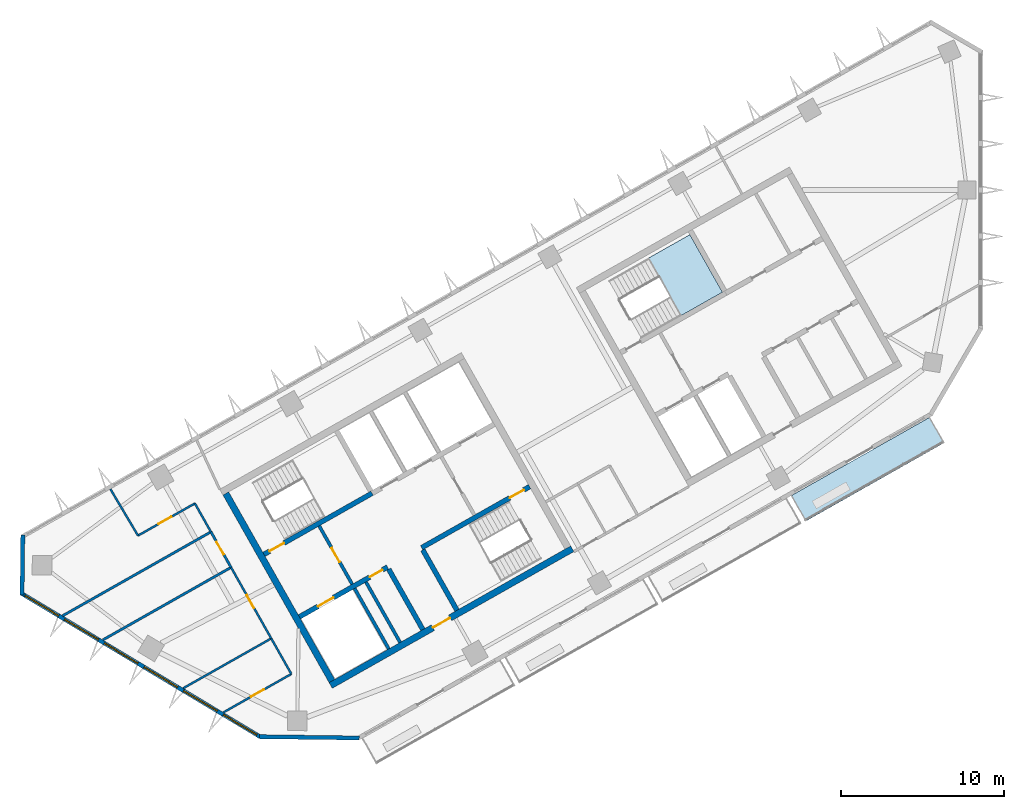
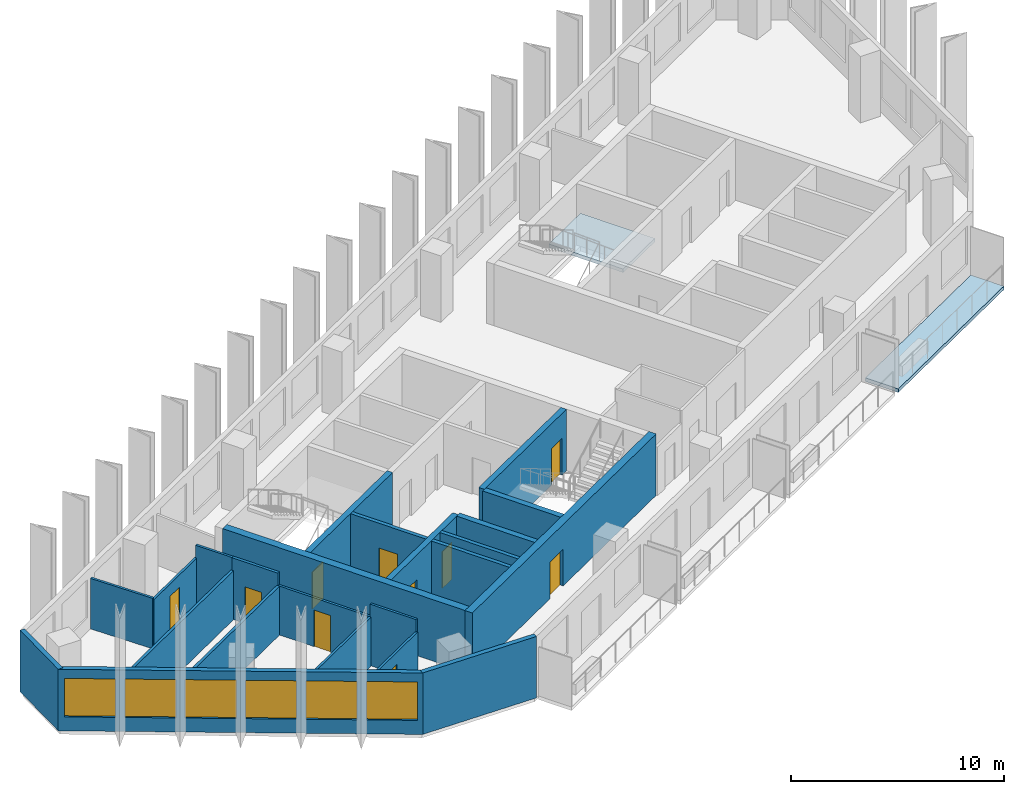
# One storey, part 2 of 8: 23 walls, 10 doors, 6 windows, 2 slabs, 16 openings, 1 element without a shape of its own.
"""IFC4 building model written with IfcOpenShell, lengths in metres."""

from ifc_helpers import new_model, si_unit, direction, frame, frame_2d, origin, place, context, subcontext, project, spatial, polyline, rectangle, outline, extrude, material, layer, layer_set, type_object, element, fill, aggregate, save


model = new_model("IFC4")

# Units and contexts
model_context = context("Model", 3, precision=1e-05, world=origin(), true_north=direction((0.0, 1.0)))
body_context = subcontext(model_context, "Body", "Model", "MODEL_VIEW")
ifc_project = project(units=[si_unit("LENGTHUNIT", "METRE"), si_unit("AREAUNIT", "SQUARE_METRE"), si_unit("VOLUMEUNIT", "CUBIC_METRE"), si_unit("PLANEANGLEUNIT", "RADIAN"), si_unit("MASSUNIT", "GRAM", prefix="KILO")], contexts=[model_context])

# Site, building, storey
site_placement = place(None, origin())
site = spatial("IfcSite", under=ifc_project, at=site_placement, CompositionType="ELEMENT")
building_placement = place(site_placement, origin())
building = spatial("IfcBuilding", under=site, at=building_placement, Name="Binnacle Exchange Tower", CompositionType="ELEMENT")
storey_placement = place(building_placement, frame((0.0, 0.0, 293.10009765625)))
storey = spatial("IfcBuildingStorey", under=building, at=storey_placement, Name="L65", CompositionType="ELEMENT", Elevation=293.10009765625)

# Slab
ifc_material_1 = material(Name="Concrete C35/45", Category="concrete")
ifc_layer_1 = layer(ifc_material_1, 0.199951171875)
ifc_layer_set_1 = layer_set([ifc_layer_1], Name="BALCONY SLAB 200")
slab_type_1 = type_object("IfcSlabType", Name="BALCONY SLAB 200", PredefinedType="FLOOR", material=ifc_layer_set_1)
slab_1_placement = place(storey_placement, frame((0.0, 0.0, -0.2001953125)))
element("IfcSlab", 1, at=slab_1_placement, inside=storey, type_object=slab_type_1, Name="Balcony BA-H07-03 L65", PredefinedType="FLOOR", context=body_context, shape_type="SweptSolid", body=[
    extrude(outline(polyline([(-11.616943359375, 41.28369140625), (-3.115234375, 46.093994140625), (-2.22900390625, 44.527099609375), (-10.730712890625, 39.717041015625), (-11.616943359375, 41.28369140625)])), origin(), (0.0, 0.0, 1.0), 0.2001953125),
])

# Stair, slab
stair_type = type_object("IfcStairType", Name="STAIR 22 RISERS 173", PredefinedType="HALF_TURN_STAIR", material=ifc_material_1)
stair_placement = place(storey_placement, origin())
stair = element("IfcStair", 2, at=stair_placement, inside=storey, type_object=stair_type, Name="L65 Escape stair C1", PredefinedType="HALF_TURN_STAIR")
ifc_layer_2 = layer(ifc_material_1, 0.199951171875)
ifc_layer_set_2 = layer_set([ifc_layer_2], Name="STAIR LANDING 200")
slab_type_2 = type_object("IfcSlabType", Name="STAIR LANDING 200", PredefinedType="LANDING", material=ifc_layer_set_2)
slab_2_placement = place(storey_placement, frame((0.0, 0.0, 1.699951171875)))
slab_2 = element("IfcSlab", 3, at=slab_2_placement, type_object=slab_type_2, Name="STC1 landing 1", PredefinedType="LANDING", context=body_context, shape_type="SweptSolid", body=[
    extrude(outline(polyline([(-18.364013671875, 52.31005859375), (-15.822509765625, 53.748046875), (-17.81689453125, 57.27294921875), (-20.3583984375, 55.8349609375), (-18.364013671875, 52.31005859375)])), origin(), (0.0, 0.0, 1.0), 0.199951171875),
])
aggregate(stair, [slab_2])

# Wall, openings, doors
ifc_material_2 = material(Name="Concrete C70/85", Category="concrete")
ifc_layer_3 = layer(ifc_material_2, 0.300048828125)
ifc_layer_set_3 = layer_set([ifc_layer_3], Name="Core wall - front 300")
wall_type_1 = type_object("IfcWallType", Name="Core wall - front 300", PredefinedType="SOLIDWALL", material=ifc_layer_set_3)
wall_1_placement = place(storey_placement, frame((-41.72998046875, 33.862548828125, 0.0), z_axis=(0.0, 0.0, 1.0), x_axis=(0.870350800578, 0.492432212525, 0.0)))
wall_1 = element("IfcWall", 4, at=wall_1_placement, inside=storey, type_object=wall_type_1, Name="Core wall CRWA2", PredefinedType="SOLIDWALL", context=body_context, shape_type="SweptSolid", body=[
    extrude(rectangle(XDim=6.19970703125, YDim=0.300048828125, at=frame_2d((3.099853515625, 0.0))), origin(), (0.0, 0.0, 1.0), 3.52001953125),
])
opening_1_placement = place(wall_1_placement, frame((1.300048828125, 0.0, 0.0)))
opening_1 = element("IfcOpeningElement", 5, at=opening_1_placement, cuts=wall_1, Name="Opening LD12", PredefinedType="OPENING", context=body_context, shape_type="SweptSolid", body=[
    extrude(rectangle(XDim=1.10009765625, YDim=2.10009765625, at=frame_2d((0.550048828125, 1.050048828125))), frame((0.0, 0.159912109375, 0.0), z_axis=(0.0, -1.0, 0.0), x_axis=(1.0, 0.0, 0.0)), (0.0, 0.0, 1.0), 0.320068359375),
])
opening_2_placement = place(wall_1_placement, frame((4.949951171875, 0.0, 0.0)))
opening_2 = element("IfcOpeningElement", 6, at=opening_2_placement, cuts=wall_1, Name="Opening DA14", PredefinedType="OPENING", context=body_context, shape_type="SweptSolid", body=[
    extrude(rectangle(XDim=0.89990234375, YDim=2.10009765625, at=frame_2d((0.449951171875, 1.050048828125))), frame((0.0, 0.159912109375, 0.0), z_axis=(0.0, -1.0, 0.0), x_axis=(1.0, 0.0, 0.0)), (0.0, 0.0, 1.0), 0.320068359375),
])
ifc_material_3 = material(Name="Steel door leaf", Category="steel")
door_type_1 = type_object("IfcDoorType", Name="Fire door - lift landing 1100", OperationType="NOTDEFINED", PredefinedType="DOOR", material=ifc_material_3)
door_1_placement = place(opening_1_placement, origin())
door_1 = element("IfcDoor", 7, at=door_1_placement, inside=storey, type_object=door_type_1, Name="Landing door LD12 L65", OperationType="DOUBLE_DOOR_SLIDING", OverallHeight=2.10009765625, OverallWidth=1.10009765625, PredefinedType="DOOR", context=body_context, shape_type="SweptSolid", body=[
    extrude(rectangle(XDim=1.10009765625, YDim=2.10009765625, at=frame_2d((0.550048828125, 1.050048828125))), frame((0.0, 0.02490234375, 0.0), z_axis=(0.0, -1.0, 0.0), x_axis=(1.0, 0.0, 0.0)), (0.0, 0.0, 1.0), 0.050048828125),
])
fill(opening_1, door_1)
door_type_2 = type_object("IfcDoorType", Name="Fire door 900", OperationType="NOTDEFINED", PredefinedType="DOOR", material=ifc_material_3)
door_2_placement = place(opening_2_placement, frame((0.89990234375, 0.0, 0.0), z_axis=(0.0, 0.0, 1.0), x_axis=(-1.0, 0.0, 0.0)))
door_2 = element("IfcDoor", 8, at=door_2_placement, inside=storey, type_object=door_type_2, Name="Core room door UPS CUPBOARD", OperationType="SINGLE_SWING_LEFT", OverallHeight=2.10009765625, OverallWidth=0.89990234375, PredefinedType="DOOR", context=body_context, shape_type="SweptSolid", body=[
    extrude(rectangle(XDim=0.89990234375, YDim=2.10009765625, at=frame_2d((0.449951171875, 1.050048828125))), frame((0.0, 0.02490234375, 0.0), z_axis=(0.0, -1.0, 0.0), x_axis=(1.0, 0.0, 0.0)), (0.0, 0.0, 1.0), 0.050048828125),
])
fill(opening_2, door_2)

# Wall
wall_2_placement = place(storey_placement, frame((-36.260009765625, 36.784912109375, 0.0), z_axis=(0.0, 0.0, 1.0), x_axis=(0.492422543467, -0.870356271124, 0.0)))
element("IfcWall", 9, at=wall_2_placement, inside=storey, type_object=wall_type_1, Name="Core wall CRWA13", PredefinedType="SOLIDWALL", context=body_context, shape_type="SweptSolid", body=[
    extrude(rectangle(XDim=4.25, YDim=0.300048828125, at=frame_2d((2.125, 0.0))), origin(), (0.0, 0.0, 1.0), 3.52001953125),
])

# Wall, opening, door
ifc_layer_4 = layer(ifc_material_2, 0.39990234375)
ifc_layer_set_4 = layer_set([ifc_layer_4], Name="Core wall - outer 400")
wall_type_2 = type_object("IfcWallType", Name="Core wall - outer 400", PredefinedType="SOLIDWALL", material=ifc_layer_set_4)
wall_3_placement = place(storey_placement, frame((-39.81298828125, 29.661865234375, 0.0), z_axis=(0.0, 0.0, 1.0), x_axis=(0.870350116061, 0.492433422375, 0.0)))
wall_3 = element("IfcWall", 10, at=wall_3_placement, inside=storey, type_object=wall_type_2, Name="Core wall CRWA1", PredefinedType="SOLIDWALL", context=body_context, shape_type="SweptSolid", body=[
    extrude(rectangle(XDim=17.0, YDim=0.39990234375, at=frame_2d((8.5, 0.0))), origin(), (0.0, 0.0, 1.0), 3.52001953125),
])
opening_3_placement = place(wall_3_placement, frame((7.199951171875, 0.0, 0.0)))
opening_3 = element("IfcOpeningElement", 11, at=opening_3_placement, cuts=wall_3, Name="Opening DA7", PredefinedType="OPENING", context=body_context, shape_type="SweptSolid", body=[
    extrude(rectangle(XDim=1.199951171875, YDim=2.10009765625, at=frame_2d((0.60009765625, 1.050048828125))), frame((0.0, 0.2099609375, 0.0), z_axis=(0.0, -1.0, 0.0), x_axis=(1.0, 0.0, 0.0)), (0.0, 0.0, 1.0), 0.419921875),
])
door_type_3 = type_object("IfcDoorType", Name="Fire door 1200", OperationType="NOTDEFINED", PredefinedType="DOOR", material=ifc_material_3)
door_3_placement = place(opening_3_placement, frame((1.199951171875, 0.0, 0.0), z_axis=(0.0, 0.0, 1.0), x_axis=(-1.0, 0.0, 0.0)))
door_3 = element("IfcDoor", 12, at=door_3_placement, inside=storey, type_object=door_type_3, Name="Lift lobby entrance door core A", OperationType="SINGLE_SWING_RIGHT", OverallHeight=2.10009765625, OverallWidth=1.199951171875, PredefinedType="DOOR", context=body_context, shape_type="SweptSolid", body=[
    extrude(rectangle(XDim=1.199951171875, YDim=2.10009765625, at=frame_2d((0.60009765625, 1.050048828125))), frame((0.0, 0.02490234375, 0.0), z_axis=(0.0, -1.0, 0.0), x_axis=(1.0, 0.0, 0.0)), (0.0, 0.0, 1.0), 0.050048828125),
])
fill(opening_3, door_3)

# Wall
wall_4_placement = place(storey_placement, frame((-46.237548828125, 41.423095703125, 0.0), z_axis=(0.0, 0.0, 1.0), x_axis=(0.492421663121, -0.870356769198, 0.0)))
element("IfcWall", 13, at=wall_4_placement, inside=storey, type_object=wall_type_2, Name="Core wall CRWA7", PredefinedType="SOLIDWALL", context=body_context, shape_type="SweptSolid", body=[
    extrude(rectangle(XDim=13.199951171875, YDim=0.39990234375, at=frame_2d((6.60009765625, 0.0))), origin(), (0.0, 0.0, 1.0), 3.52001953125),
])

# Wall, opening, door
ifc_layer_5 = layer(ifc_material_2, 0.300048828125)
ifc_layer_set_5 = layer_set([ifc_layer_5], Name="Core wall - stair 300")
wall_type_3 = type_object("IfcWallType", Name="Core wall - stair 300", PredefinedType="SOLIDWALL", material=ifc_layer_set_5)
wall_5_placement = place(storey_placement, frame((-34.2451171875, 38.097412109375, 0.0), z_axis=(0.0, 0.0, 1.0), x_axis=(0.870356351998, 0.492422400523, 0.0)))
wall_5 = element("IfcWall", 14, at=wall_5_placement, inside=storey, type_object=wall_type_3, Name="Core wall CRWA3", PredefinedType="SOLIDWALL", context=body_context, shape_type="SweptSolid", body=[
    extrude(rectangle(XDim=7.60009765625, YDim=0.300048828125, at=frame_2d((3.800048828125, 0.0))), origin(), (0.0, 0.0, 1.0), 3.52001953125),
])
opening_4_placement = place(wall_5_placement, frame((6.199951171875, 0.0, 0.0)))
opening_4 = element("IfcOpeningElement", 15, at=opening_4_placement, cuts=wall_5, Name="Opening DA2", PredefinedType="OPENING", context=body_context, shape_type="SweptSolid", body=[
    extrude(rectangle(XDim=1.0, YDim=2.10009765625, at=frame_2d((0.5, 1.050048828125))), frame((0.0, 0.159912109375, 0.0), z_axis=(0.0, -1.0, 0.0), x_axis=(1.0, 0.0, 0.0)), (0.0, 0.0, 1.0), 0.320068359375),
])
door_type_4 = type_object("IfcDoorType", Name="Fire door 1000", OperationType="NOTDEFINED", PredefinedType="DOOR", material=ifc_material_3)
door_4_placement = place(opening_4_placement, frame((1.0, 0.0, 0.0), z_axis=(0.0, 0.0, 1.0), x_axis=(-1.0, 0.0, 0.0)))
door_4 = element("IfcDoor", 16, at=door_4_placement, inside=storey, type_object=door_type_4, Name="Stair door ST-A2", OperationType="SINGLE_SWING_LEFT", OverallHeight=2.10009765625, OverallWidth=1.0, PredefinedType="DOOR", context=body_context, shape_type="SweptSolid", body=[
    extrude(rectangle(XDim=1.0, YDim=2.10009765625, at=frame_2d((0.5, 1.050048828125))), frame((0.0, 0.02490234375, 0.0), z_axis=(0.0, -1.0, 0.0), x_axis=(1.0, 0.0, 0.0)), (0.0, 0.0, 1.0), 0.050048828125),
])
fill(opening_4, door_4)

wall_6_placement = place(storey_placement, frame((-43.896728515625, 37.692138671875, 0.0), z_axis=(0.0, 0.0, 1.0), x_axis=(0.870356351998, 0.492422400523, 0.0)))
wall_6 = element("IfcWall", 17, at=wall_6_placement, inside=storey, type_object=wall_type_3, Name="Core wall CRWA4", PredefinedType="SOLIDWALL", context=body_context, shape_type="SweptSolid", body=[
    extrude(rectangle(XDim=7.60009765625, YDim=0.300048828125, at=frame_2d((3.800048828125, 0.0))), origin(), (0.0, 0.0, 1.0), 3.52001953125),
])
opening_5_placement = place(wall_6_placement, frame((0.39990234375, 0.0, 0.0)))
opening_5 = element("IfcOpeningElement", 18, at=opening_5_placement, cuts=wall_6, Name="Opening DA1", PredefinedType="OPENING", context=body_context, shape_type="SweptSolid", body=[
    extrude(rectangle(XDim=1.0, YDim=2.10009765625, at=frame_2d((0.5, 1.050048828125))), frame((0.0, 0.159912109375, 0.0), z_axis=(0.0, -1.0, 0.0), x_axis=(1.0, 0.0, 0.0)), (0.0, 0.0, 1.0), 0.320068359375),
])
door_5_placement = place(opening_5_placement, origin())
door_5 = element("IfcDoor", 19, at=door_5_placement, inside=storey, type_object=door_type_4, Name="Stair door ST-A1", OperationType="SINGLE_SWING_LEFT", OverallHeight=2.10009765625, OverallWidth=1.0, PredefinedType="DOOR", context=body_context, shape_type="SweptSolid", body=[
    extrude(rectangle(XDim=1.0, YDim=2.10009765625, at=frame_2d((0.5, 1.050048828125))), frame((0.0, 0.02490234375, 0.0), z_axis=(0.0, -1.0, 0.0), x_axis=(1.0, 0.0, 0.0)), (0.0, 0.0, 1.0), 0.050048828125),
])
fill(opening_5, door_5)

# Walls
wall_7_placement = place(storey_placement, frame((-34.171142578125, 37.966796875, 0.0), z_axis=(0.0, 0.0, 1.0), x_axis=(0.492422543467, -0.870356271124, 0.0)))
element("IfcWall", 20, at=wall_7_placement, inside=storey, type_object=wall_type_3, Name="Core wall CRWA16", PredefinedType="SOLIDWALL", context=body_context, shape_type="SweptSolid", body=[
    extrude(rectangle(XDim=4.25, YDim=0.300048828125, at=frame_2d((2.125, 0.0))), origin(), (0.0, 0.0, 1.0), 3.52001953125),
])
ifc_material_4 = material(Name="Bronze aluminium cladding", Category="aluminium")
ifc_layer_6 = layer(ifc_material_4, 0.25)
ifc_layer_set_6 = layer_set([ifc_layer_6], Name="External wall - window wall 250")
wall_type_4 = type_object("IfcWallType", Name="External wall - window wall 250", PredefinedType="STANDARD", material=ifc_layer_set_6)
wall_8_placement = place(storey_placement, frame((-58.717041015625, 35.208251953125, 0.0), z_axis=(0.0, 0.0, 1.0), x_axis=(0.01310512158, 0.999914124207, 0.0)))
element("IfcWall", 21, at=wall_8_placement, inside=storey, type_object=wall_type_4, Name="External wall EW-H04 L65", PredefinedType="STANDARD", context=body_context, shape_type="SweptSolid", body=[
    extrude(rectangle(XDim=3.669921875, YDim=0.25, at=frame_2d((1.8349609375, 0.0))), origin(), (0.0, 0.0, 1.0), 3.52001953125),
])

# Wall, openings, windows
wall_9_placement = place(storey_placement, frame((-44.115234375, 26.507080078125, 0.0), z_axis=(0.0, 0.0, 1.0), x_axis=(-0.857166583633, 0.515039268311, 0.0)))
wall_9 = element("IfcWall", 22, at=wall_9_placement, inside=storey, type_object=wall_type_4, Name="External wall EW-H05 L65", PredefinedType="STANDARD", context=body_context, shape_type="SweptSolid", body=[
    extrude(rectangle(XDim=17.105712890625, YDim=0.25, at=frame_2d((8.552734375, 0.0))), origin(), (0.0, 0.0, 1.0), 3.52001953125),
])
opening_6_placement = place(wall_9_placement, frame((14.4169921875, 0.0, 0.800048828125)))
opening_6 = element("IfcOpeningElement", 23, at=opening_6_placement, cuts=wall_9, Name="Opening WR2", PredefinedType="OPENING", context=body_context, shape_type="SweptSolid", body=[
    extrude(rectangle(XDim=2.39990234375, YDim=2.199951171875, at=frame_2d((1.199951171875, 1.10009765625))), frame((0.0, 0.135009765625, 0.0), z_axis=(0.0, -1.0, 0.0), x_axis=(1.0, 0.0, 0.0)), (0.0, 0.0, 1.0), 0.27001953125),
])
opening_7_placement = place(wall_9_placement, frame((11.583740234375, 0.0, 0.800048828125)))
opening_7 = element("IfcOpeningElement", 24, at=opening_7_placement, cuts=wall_9, Name="Opening WR2", PredefinedType="OPENING", context=body_context, shape_type="SweptSolid", body=[
    extrude(rectangle(XDim=2.39990234375, YDim=2.199951171875, at=frame_2d((1.199951171875, 1.10009765625))), frame((0.0, 0.135009765625, 0.0), z_axis=(0.0, -1.0, 0.0), x_axis=(1.0, 0.0, 0.0)), (0.0, 0.0, 1.0), 0.27001953125),
])
opening_8_placement = place(wall_9_placement, frame((8.75048828125, 0.0, 0.800048828125)))
opening_8 = element("IfcOpeningElement", 25, at=opening_8_placement, cuts=wall_9, Name="Opening WR2", PredefinedType="OPENING", context=body_context, shape_type="SweptSolid", body=[
    extrude(rectangle(XDim=2.39990234375, YDim=2.199951171875, at=frame_2d((1.199951171875, 1.10009765625))), frame((0.0, 0.135009765625, 0.0), z_axis=(0.0, -1.0, 0.0), x_axis=(1.0, 0.0, 0.0)), (0.0, 0.0, 1.0), 0.27001953125),
])
opening_9_placement = place(wall_9_placement, frame((5.9169921875, 0.0, 0.800048828125)))
opening_9 = element("IfcOpeningElement", 26, at=opening_9_placement, cuts=wall_9, Name="Opening WR2", PredefinedType="OPENING", context=body_context, shape_type="SweptSolid", body=[
    extrude(rectangle(XDim=2.39990234375, YDim=2.199951171875, at=frame_2d((1.199951171875, 1.10009765625))), frame((0.0, 0.135009765625, 0.0), z_axis=(0.0, -1.0, 0.0), x_axis=(1.0, 0.0, 0.0)), (0.0, 0.0, 1.0), 0.27001953125),
])
opening_10_placement = place(wall_9_placement, frame((3.083740234375, 0.0, 0.800048828125)))
opening_10 = element("IfcOpeningElement", 27, at=opening_10_placement, cuts=wall_9, Name="Opening WR2", PredefinedType="OPENING", context=body_context, shape_type="SweptSolid", body=[
    extrude(rectangle(XDim=2.39990234375, YDim=2.199951171875, at=frame_2d((1.199951171875, 1.10009765625))), frame((0.0, 0.135009765625, 0.0), z_axis=(0.0, -1.0, 0.0), x_axis=(1.0, 0.0, 0.0)), (0.0, 0.0, 1.0), 0.27001953125),
])
opening_11_placement = place(wall_9_placement, frame((0.25048828125, 0.0, 0.800048828125)))
opening_11 = element("IfcOpeningElement", 28, at=opening_11_placement, cuts=wall_9, Name="Opening WR2", PredefinedType="OPENING", context=body_context, shape_type="SweptSolid", body=[
    extrude(rectangle(XDim=2.39990234375, YDim=2.199951171875, at=frame_2d((1.199951171875, 1.10009765625))), frame((0.0, 0.135009765625, 0.0), z_axis=(0.0, -1.0, 0.0), x_axis=(1.0, 0.0, 0.0)), (0.0, 0.0, 1.0), 0.27001953125),
])
ifc_material_5 = material(Name="Bronze anodised aluminium frame", Category="aluminium")
window_type = type_object("IfcWindowType", Name="WR2 WINDOW 2400x2200", PartitioningType="SINGLE_PANEL", PredefinedType="WINDOW", material=ifc_material_5)
window_1_placement = place(opening_6_placement, origin())
window_1 = element("IfcWindow", 29, at=window_1_placement, inside=storey, type_object=window_type, Name="Window WR2 L65", OverallHeight=2.199951171875, OverallWidth=2.39990234375, PartitioningType="SINGLE_PANEL", PredefinedType="WINDOW", context=body_context, shape_type="SweptSolid", body=[
    extrude(rectangle(XDim=2.39990234375, YDim=2.199951171875, at=frame_2d((1.199951171875, 1.10009765625))), frame((0.0, 0.030029296875, 0.0), z_axis=(0.0, -1.0, 0.0), x_axis=(1.0, 0.0, 0.0)), (0.0, 0.0, 1.0), 0.06005859375),
])
fill(opening_6, window_1)
window_2_placement = place(opening_7_placement, origin())
window_2 = element("IfcWindow", 30, at=window_2_placement, inside=storey, type_object=window_type, Name="Window WR2 L65", OverallHeight=2.199951171875, OverallWidth=2.39990234375, PartitioningType="SINGLE_PANEL", PredefinedType="WINDOW", context=body_context, shape_type="SweptSolid", body=[
    extrude(rectangle(XDim=2.39990234375, YDim=2.199951171875, at=frame_2d((1.199951171875, 1.10009765625))), frame((0.0, 0.030029296875, 0.0), z_axis=(0.0, -1.0, 0.0), x_axis=(1.0, 0.0, 0.0)), (0.0, 0.0, 1.0), 0.06005859375),
])
fill(opening_7, window_2)
window_3_placement = place(opening_8_placement, origin())
window_3 = element("IfcWindow", 31, at=window_3_placement, inside=storey, type_object=window_type, Name="Window WR2 L65", OverallHeight=2.199951171875, OverallWidth=2.39990234375, PartitioningType="SINGLE_PANEL", PredefinedType="WINDOW", context=body_context, shape_type="SweptSolid", body=[
    extrude(rectangle(XDim=2.39990234375, YDim=2.199951171875, at=frame_2d((1.199951171875, 1.10009765625))), frame((0.0, 0.030029296875, 0.0), z_axis=(0.0, -1.0, 0.0), x_axis=(1.0, 0.0, 0.0)), (0.0, 0.0, 1.0), 0.06005859375),
])
fill(opening_8, window_3)
window_4_placement = place(opening_9_placement, origin())
window_4 = element("IfcWindow", 32, at=window_4_placement, inside=storey, type_object=window_type, Name="Window WR2 L65", OverallHeight=2.199951171875, OverallWidth=2.39990234375, PartitioningType="SINGLE_PANEL", PredefinedType="WINDOW", context=body_context, shape_type="SweptSolid", body=[
    extrude(rectangle(XDim=2.39990234375, YDim=2.199951171875, at=frame_2d((1.199951171875, 1.10009765625))), frame((0.0, 0.030029296875, 0.0), z_axis=(0.0, -1.0, 0.0), x_axis=(1.0, 0.0, 0.0)), (0.0, 0.0, 1.0), 0.06005859375),
])
fill(opening_9, window_4)
window_5_placement = place(opening_10_placement, origin())
window_5 = element("IfcWindow", 33, at=window_5_placement, inside=storey, type_object=window_type, Name="Window WR2 L65", OverallHeight=2.199951171875, OverallWidth=2.39990234375, PartitioningType="SINGLE_PANEL", PredefinedType="WINDOW", context=body_context, shape_type="SweptSolid", body=[
    extrude(rectangle(XDim=2.39990234375, YDim=2.199951171875, at=frame_2d((1.199951171875, 1.10009765625))), frame((0.0, 0.030029296875, 0.0), z_axis=(0.0, -1.0, 0.0), x_axis=(1.0, 0.0, 0.0)), (0.0, 0.0, 1.0), 0.06005859375),
])
fill(opening_10, window_5)
window_6_placement = place(opening_11_placement, origin())
window_6 = element("IfcWindow", 34, at=window_6_placement, inside=storey, type_object=window_type, Name="Window WR2 L65", OverallHeight=2.199951171875, OverallWidth=2.39990234375, PartitioningType="SINGLE_PANEL", PredefinedType="WINDOW", context=body_context, shape_type="SweptSolid", body=[
    extrude(rectangle(XDim=2.39990234375, YDim=2.199951171875, at=frame_2d((1.199951171875, 1.10009765625))), frame((0.0, 0.030029296875, 0.0), z_axis=(0.0, -1.0, 0.0), x_axis=(1.0, 0.0, 0.0)), (0.0, 0.0, 1.0), 0.06005859375),
])
fill(opening_11, window_6)

# Wall
wall_10_placement = place(storey_placement, frame((-38.06396484375, 26.44482421875, 0.0), z_axis=(0.0, 0.0, 1.0), x_axis=(-0.999914239143, 0.013096349097, 0.0)))
element("IfcWall", 35, at=wall_10_placement, inside=storey, type_object=wall_type_4, Name="External wall EW-H06 L65", PredefinedType="STANDARD", context=body_context, shape_type="SweptSolid", body=[
    extrude(rectangle(XDim=6.114501953125, YDim=0.25, at=frame_2d((3.05712890625, 0.0))), origin(), (0.0, 0.0, 1.0), 3.52001953125),
])

# Wall, opening, door
ifc_material_6 = material(Name="Masonry block wall", Category="masonry")
ifc_layer_7 = layer(ifc_material_6, 0.199951171875)
ifc_layer_set_7 = layer_set([ifc_layer_7], Name="Fire wall - vestibule 200")
wall_type_5 = type_object("IfcWallType", Name="Fire wall - vestibule 200", PredefinedType="PARTITIONING", material=ifc_layer_set_7)
wall_11_placement = place(storey_placement, frame((-40.515625, 39.4326171875, 0.0), z_axis=(0.0, 0.0, 1.0), x_axis=(0.492453559952, -0.87033872216, 0.0)))
wall_11 = element("IfcWall", 36, at=wall_11_placement, inside=storey, type_object=wall_type_5, Name="Core wall CRWA10", PredefinedType="PARTITIONING", context=body_context, shape_type="SweptSolid", body=[
    extrude(rectangle(XDim=4.099853515625, YDim=0.199951171875, at=frame_2d((2.0498046875, 0.0))), origin(), (0.0, 0.0, 1.0), 3.52001953125),
])
opening_12_placement = place(wall_11_placement, frame((1.550048828125, 0.0, 0.0)))
opening_12 = element("IfcOpeningElement", 37, at=opening_12_placement, cuts=wall_11, Name="Opening DA3", PredefinedType="OPENING", context=body_context, shape_type="SweptSolid", body=[
    extrude(rectangle(XDim=1.0, YDim=2.10009765625, at=frame_2d((0.5, 1.050048828125))), frame((0.0, 0.10986328125, 0.0), z_axis=(0.0, -1.0, 0.0), x_axis=(1.0, 0.0, 0.0)), (0.0, 0.0, 1.0), 0.219970703125),
])
door_6_placement = place(opening_12_placement, frame((1.0, 0.0, 0.0), z_axis=(0.0, 0.0, 1.0), x_axis=(-1.0, 0.0, 0.0)))
door_6 = element("IfcDoor", 38, at=door_6_placement, inside=storey, type_object=door_type_4, Name="Vestibule door VEST-W", OperationType="SINGLE_SWING_LEFT", OverallHeight=2.10009765625, OverallWidth=1.0, PredefinedType="DOOR", context=body_context, shape_type="SweptSolid", body=[
    extrude(rectangle(XDim=1.0, YDim=2.10009765625, at=frame_2d((0.5, 1.050048828125))), frame((0.0, 0.02490234375, 0.0), z_axis=(0.0, -1.0, 0.0), x_axis=(1.0, 0.0, 0.0)), (0.0, 0.0, 1.0), 0.050048828125),
])
fill(opening_12, door_6)

# Walls
ifc_material_7 = material(Name="Gypsum partition fire rated")
ifc_layer_8 = layer(ifc_material_7, 0.14990234375)
ifc_layer_set_8 = layer_set([ifc_layer_8], Name="Fire-rated partition 150")
wall_type_6 = type_object("IfcWallType", Name="Fire-rated partition 150", PredefinedType="PARTITIONING", material=ifc_layer_set_8)
wall_12_placement = place(storey_placement, frame((-56.22900390625, 33.931884765625, 0.0), z_axis=(0.0, 0.0, 1.0), x_axis=(0.870363189886, 0.492410314364, 0.0)))
element("IfcWall", 39, at=wall_12_placement, inside=storey, type_object=wall_type_6, Name="Partition W01", PredefinedType="PARTITIONING", context=body_context, shape_type="SweptSolid", body=[
    extrude(rectangle(XDim=10.434814453125, YDim=0.14990234375, at=frame_2d((5.21728515625, 0.0))), origin(), (0.0, 0.0, 1.0), 2.7998046875),
])
wall_13_placement = place(storey_placement, frame((-53.76708984375, 32.452880859375, 0.0), z_axis=(0.0, 0.0, 1.0), x_axis=(0.870345499828, 0.492441581235, 0.0)))
element("IfcWall", 40, at=wall_13_placement, inside=storey, type_object=wall_type_6, Name="Partition W02", PredefinedType="PARTITIONING", context=body_context, shape_type="SweptSolid", body=[
    extrude(rectangle(XDim=9.020751953125, YDim=0.14990234375, at=frame_2d((4.51025390625, 0.0))), origin(), (0.0, 0.0, 1.0), 2.7998046875),
])

# Wall, opening, door
wall_14_placement = place(storey_placement, frame((-47.14697265625, 39.070068359375, 0.0), z_axis=(0.0, 0.0, 1.0), x_axis=(0.492536798944, -0.870291618761, 0.0)))
wall_14 = element("IfcWall", 41, at=wall_14_placement, inside=storey, type_object=wall_type_6, Name="Partition W08", PredefinedType="PARTITIONING", context=body_context, shape_type="SweptSolid", body=[
    extrude(rectangle(XDim=2.499267578125, YDim=0.14990234375, at=frame_2d((1.24951171875, 0.0))), origin(), (0.0, 0.0, 1.0), 3.52001953125),
])
opening_13_placement = place(wall_14_placement, frame((0.699951171875, 0.0, 0.0)))
opening_13 = element("IfcOpeningElement", 42, at=opening_13_placement, cuts=wall_14, Name="Opening DL65-03", PredefinedType="OPENING", context=body_context, shape_type="SweptSolid", body=[
    extrude(rectangle(XDim=0.89990234375, YDim=2.10009765625, at=frame_2d((0.449951171875, 1.050048828125))), frame((0.0, 0.0849609375, 0.0), z_axis=(0.0, -1.0, 0.0), x_axis=(1.0, 0.0, 0.0)), (0.0, 0.0, 1.0), 0.169921875),
])
door_7_placement = place(opening_13_placement, frame((0.89990234375, 0.0, 0.0), z_axis=(0.0, 0.0, 1.0), x_axis=(-1.0, 0.0, 0.0)))
door_7 = element("IfcDoor", 43, at=door_7_placement, inside=storey, type_object=door_type_2, Name="Door DL65-03", OperationType="SINGLE_SWING_RIGHT", OverallHeight=2.10009765625, OverallWidth=0.89990234375, PredefinedType="DOOR", context=body_context, shape_type="SweptSolid", body=[
    extrude(rectangle(XDim=0.89990234375, YDim=2.10009765625, at=frame_2d((0.449951171875, 1.050048828125))), frame((0.0, 0.02490234375, 0.0), z_axis=(0.0, -1.0, 0.0), x_axis=(1.0, 0.0, 0.0)), (0.0, 0.0, 1.0), 0.050048828125),
])
fill(opening_13, door_7)

# Wall
ifc_material_8 = material(Name="Gypsum partition")
ifc_layer_9 = layer(ifc_material_8, 0.125)
ifc_layer_set_9 = layer_set([ifc_layer_9], Name="Partition 125")
wall_type_7 = type_object("IfcWallType", Name="Partition 125", PredefinedType="PARTITIONING", material=ifc_layer_set_9)
wall_15_placement = place(storey_placement, frame((-53.30908203125, 41.696044921875, 0.0), z_axis=(0.0, 0.0, 1.0), x_axis=(0.510739180143, -0.859735709312, 0.0)))
element("IfcWall", 44, at=wall_15_placement, inside=storey, type_object=wall_type_7, Name="Partition W03", PredefinedType="PARTITIONING", context=body_context, shape_type="SweptSolid", body=[
    extrude(rectangle(XDim=3.32080078125, YDim=0.125, at=frame_2d((1.660400390625, 0.0))), origin(), (0.0, 0.0, 1.0), 2.893798828125),
])

# Wall, opening, door
wall_16_placement = place(storey_placement, frame((-51.613037109375, 38.841064453125, 0.0), z_axis=(0.0, 0.0, 1.0), x_axis=(0.870297830159, 0.492525823506, 0.0)))
wall_16 = element("IfcWall", 45, at=wall_16_placement, inside=storey, type_object=wall_type_7, Name="Partition W04", PredefinedType="PARTITIONING", context=body_context, shape_type="SweptSolid", body=[
    extrude(rectangle(XDim=3.999755859375, YDim=0.125, at=frame_2d((2.0, 0.0))), origin(), (0.0, 0.0, 1.0), 2.7998046875),
])
opening_14_placement = place(wall_16_placement, frame((1.449951171875, 0.0, 0.0)))
opening_14 = element("IfcOpeningElement", 46, at=opening_14_placement, cuts=wall_16, Name="Opening DL65-04", PredefinedType="OPENING", context=body_context, shape_type="SweptSolid", body=[
    extrude(rectangle(XDim=0.89990234375, YDim=2.10009765625, at=frame_2d((0.449951171875, 1.050048828125))), frame((0.0, 0.072509765625, 0.0), z_axis=(0.0, -1.0, 0.0), x_axis=(1.0, 0.0, 0.0)), (0.0, 0.0, 1.0), 0.14501953125),
])
ifc_material_9 = material(Name="Timber door leaf", Category="wood")
door_type_5 = type_object("IfcDoorType", Name="Door 900", OperationType="NOTDEFINED", PredefinedType="DOOR", material=ifc_material_9)
door_8_placement = place(opening_14_placement, frame((0.89990234375, 0.0, 0.0), z_axis=(0.0, 0.0, 1.0), x_axis=(-1.0, 0.0, 0.0)))
door_8 = element("IfcDoor", 47, at=door_8_placement, inside=storey, type_object=door_type_5, Name="Door DL65-04", OperationType="SINGLE_SWING_RIGHT", OverallHeight=2.10009765625, OverallWidth=0.89990234375, PredefinedType="DOOR", context=body_context, shape_type="SweptSolid", body=[
    extrude(rectangle(XDim=0.89990234375, YDim=2.10009765625, at=frame_2d((0.449951171875, 1.050048828125))), frame((0.0, 0.02490234375, 0.0), z_axis=(0.0, -1.0, 0.0), x_axis=(1.0, 0.0, 0.0)), (0.0, 0.0, 1.0), 0.050048828125),
])
fill(opening_14, door_8)

# Walls
wall_17_placement = place(storey_placement, frame((-48.843017578125, 29.493896484375, 0.0), z_axis=(0.0, 0.0, 1.0), x_axis=(0.870343909083, 0.492444392721, 0.0)))
element("IfcWall", 48, at=wall_17_placement, inside=storey, type_object=wall_type_7, Name="Partition W05", PredefinedType="PARTITIONING", context=body_context, shape_type="SweptSolid", body=[
    extrude(rectangle(XDim=6.191650390625, YDim=0.125, at=frame_2d((3.095703125, 0.0))), origin(), (0.0, 0.0, 1.0), 2.7998046875),
])
wall_18_placement = place(storey_placement, frame((-48.132080078125, 40.81103515625, 0.0), z_axis=(0.0, 0.0, 1.0), x_axis=(0.492467412326, -0.870330884088, 0.0)))
element("IfcWall", 49, at=wall_18_placement, inside=storey, type_object=wall_type_7, Name="Partition W06", PredefinedType="PARTITIONING", context=body_context, shape_type="SweptSolid", body=[
    extrude(rectangle(XDim=2.000244140625, YDim=0.125, at=frame_2d((1.0, 0.0))), origin(), (0.0, 0.0, 1.0), 3.52001953125),
])

# Wall, opening, door
wall_19_placement = place(storey_placement, frame((-46.381103515625, 28.014892578125, 0.0), z_axis=(0.0, 0.0, 1.0), x_axis=(0.870404795821, 0.49233676626, 0.0)))
wall_19 = element("IfcWall", 50, at=wall_19_placement, inside=storey, type_object=wall_type_7, Name="Partition W09", PredefinedType="PARTITIONING", context=body_context, shape_type="SweptSolid", body=[
    extrude(rectangle(XDim=4.77734375, YDim=0.125, at=frame_2d((2.388671875, 0.0))), origin(), (0.0, 0.0, 1.0), 2.7998046875),
])
opening_15_placement = place(wall_19_placement, frame((1.949951171875, 0.0, 0.0)))
opening_15 = element("IfcOpeningElement", 51, at=opening_15_placement, cuts=wall_19, Name="Opening DL65-01", PredefinedType="OPENING", context=body_context, shape_type="SweptSolid", body=[
    extrude(rectangle(XDim=0.89990234375, YDim=2.10009765625, at=frame_2d((0.449951171875, 1.050048828125))), frame((0.0, 0.072509765625, 0.0), z_axis=(0.0, -1.0, 0.0), x_axis=(1.0, 0.0, 0.0)), (0.0, 0.0, 1.0), 0.14501953125),
])
door_9_placement = place(opening_15_placement, origin())
door_9 = element("IfcDoor", 52, at=door_9_placement, inside=storey, type_object=door_type_5, Name="Door DL65-01", OperationType="SINGLE_SWING_RIGHT", OverallHeight=2.10009765625, OverallWidth=0.89990234375, PredefinedType="DOOR", context=body_context, shape_type="SweptSolid", body=[
    extrude(rectangle(XDim=0.89990234375, YDim=2.10009765625, at=frame_2d((0.449951171875, 1.050048828125))), frame((0.0, 0.02490234375, 0.0), z_axis=(0.0, -1.0, 0.0), x_axis=(1.0, 0.0, 0.0)), (0.0, 0.0, 1.0), 0.050048828125),
])
fill(opening_15, door_9)

wall_20_placement = place(storey_placement, frame((-45.916015625, 36.89501953125, 0.0), z_axis=(0.0, 0.0, 1.0), x_axis=(0.492369352746, -0.870386362759, 0.0)))
wall_20 = element("IfcWall", 53, at=wall_20_placement, inside=storey, type_object=wall_type_7, Name="Partition W10", PredefinedType="PARTITIONING", context=body_context, shape_type="SweptSolid", body=[
    extrude(rectangle(XDim=5.000244140625, YDim=0.125, at=frame_2d((2.5, 0.0))), origin(), (0.0, 0.0, 1.0), 2.7998046875),
])
opening_16_placement = place(wall_20_placement, frame((1.949951171875, 0.0, 0.0)))
opening_16 = element("IfcOpeningElement", 54, at=opening_16_placement, cuts=wall_20, Name="Opening DL65-02", PredefinedType="OPENING", context=body_context, shape_type="SweptSolid", body=[
    extrude(rectangle(XDim=0.89990234375, YDim=2.10009765625, at=frame_2d((0.449951171875, 1.050048828125))), frame((0.0, 0.072509765625, 0.0), z_axis=(0.0, -1.0, 0.0), x_axis=(1.0, 0.0, 0.0)), (0.0, 0.0, 1.0), 0.14501953125),
])
door_10_placement = place(opening_16_placement, frame((0.89990234375, 0.0, 0.0), z_axis=(0.0, 0.0, 1.0), x_axis=(-1.0, 0.0, 0.0)))
door_10 = element("IfcDoor", 55, at=door_10_placement, inside=storey, type_object=door_type_5, Name="Door DL65-02", OperationType="SINGLE_SWING_RIGHT", OverallHeight=2.10009765625, OverallWidth=0.89990234375, PredefinedType="DOOR", context=body_context, shape_type="SweptSolid", body=[
    extrude(rectangle(XDim=0.89990234375, YDim=2.10009765625, at=frame_2d((0.449951171875, 1.050048828125))), frame((0.0, 0.02490234375, 0.0), z_axis=(0.0, -1.0, 0.0), x_axis=(1.0, 0.0, 0.0)), (0.0, 0.0, 1.0), 0.050048828125),
])
fill(opening_16, door_10)

# Walls
wall_21_placement = place(storey_placement, frame((-43.4541015625, 32.54296875, 0.0), z_axis=(0.0, 0.0, 1.0), x_axis=(0.49244332707, -0.870344512032, 0.0)))
element("IfcWall", 56, at=wall_21_placement, inside=storey, type_object=wall_type_7, Name="Partition W11", PredefinedType="PARTITIONING", context=body_context, shape_type="SweptSolid", body=[
    extrude(rectangle(XDim=2.500244140625, YDim=0.125, at=frame_2d((1.25, 0.0))), origin(), (0.0, 0.0, 1.0), 3.52001953125),
])
ifc_layer_10 = layer(ifc_material_6, 0.199951171875)
ifc_layer_set_10 = layer_set([ifc_layer_10], Name="Riser wall 200")
wall_type_8 = type_object("IfcWallType", Name="Riser wall 200", PredefinedType="SOLIDWALL", material=ifc_layer_set_10)
wall_22_placement = place(storey_placement, frame((-38.348876953125, 35.603271484375, 0.0), z_axis=(0.0, 0.0, 1.0), x_axis=(0.492397924348, -0.870370199454, 0.0)))
element("IfcWall", 57, at=wall_22_placement, inside=storey, type_object=wall_type_8, Name="Core wall CRWA8", PredefinedType="SOLIDWALL", context=body_context, shape_type="SweptSolid", body=[
    extrude(rectangle(XDim=4.250244140625, YDim=0.199951171875, at=frame_2d((2.125, 0.0))), origin(), (0.0, 0.0, 1.0), 3.52001953125),
])
wall_23_placement = place(storey_placement, frame((-37.652587890625, 35.9970703125, 0.0), z_axis=(0.0, 0.0, 1.0), x_axis=(0.492422543467, -0.870356271124, 0.0)))
element("IfcWall", 58, at=wall_23_placement, inside=storey, type_object=wall_type_8, Name="Core wall CRWA11", PredefinedType="SOLIDWALL", context=body_context, shape_type="SweptSolid", body=[
    extrude(rectangle(XDim=4.25, YDim=0.199951171875, at=frame_2d((2.125, 0.0))), origin(), (0.0, 0.0, 1.0), 3.52001953125),
])

save(model, "model.ifc")
